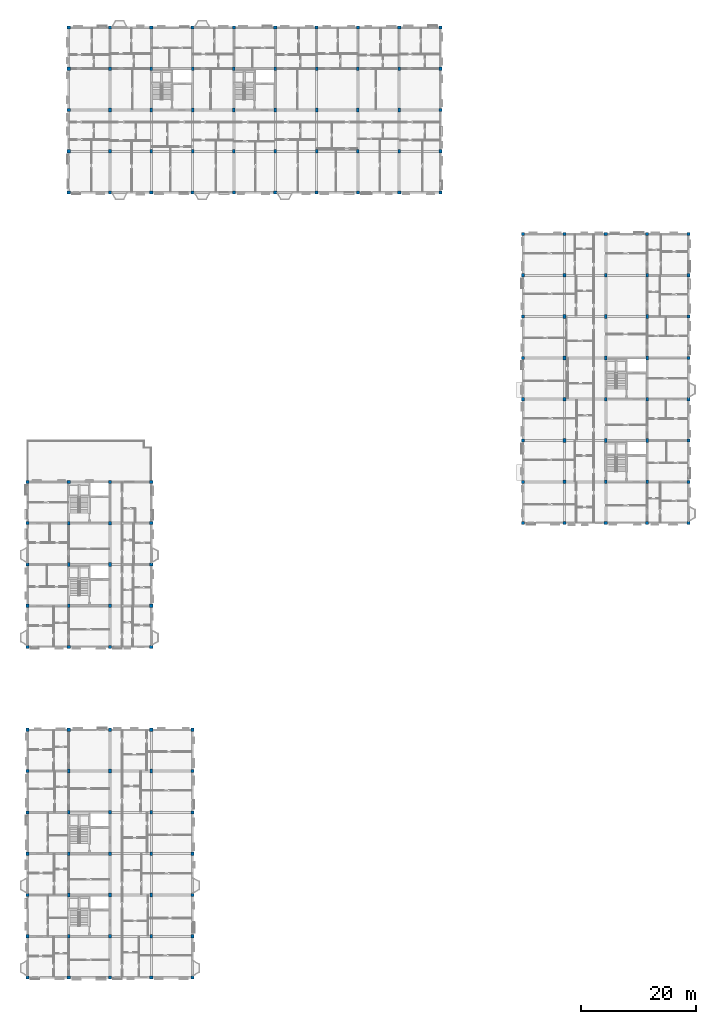
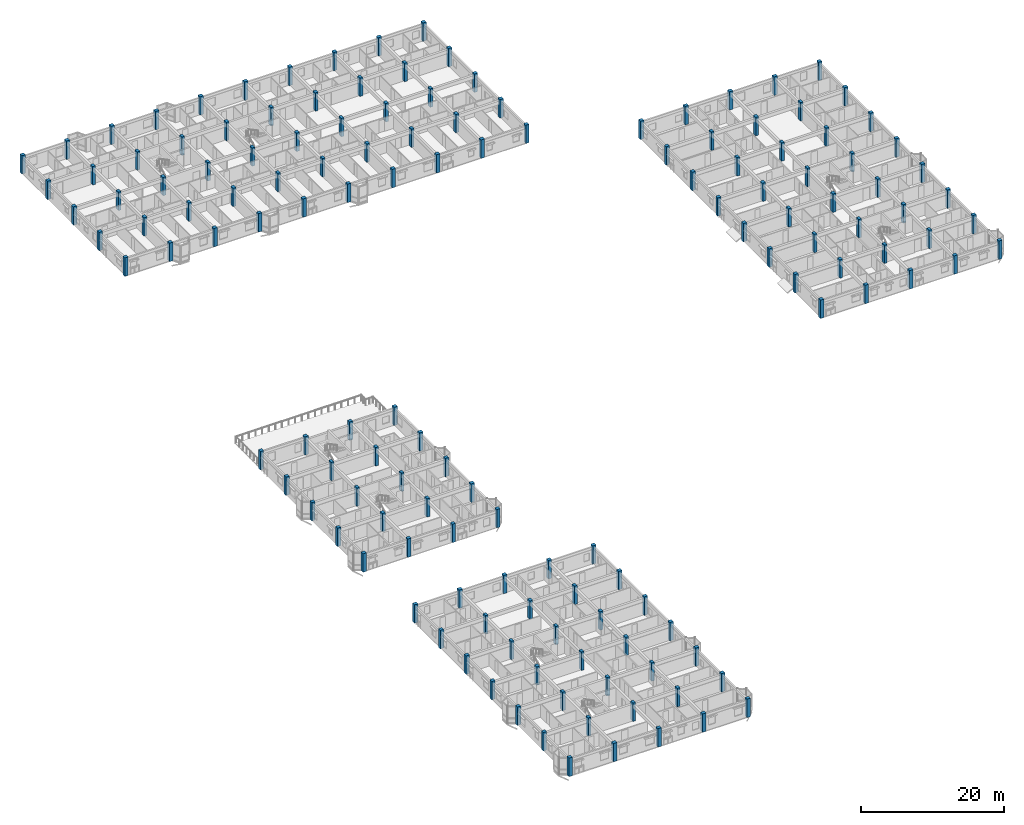
# One storey, part 1 of 75: 145 columns.
"""IFC4 building model written with IfcOpenShell, lengths in metres."""

from ifc_helpers import new_model, si_unit, direction, frame, origin, origin_2d, place, context, subcontext, project, spatial, rectangle, extrude, material, material_profile, profile_set, type_object, element, save


model = new_model("IFC4")

# Units and contexts
model_context = context("Model", 3, precision=1e-05, world=origin(), true_north=direction((0.0, 1.0)))
body_context = subcontext(model_context, "Body", "Model", "MODEL_VIEW")
ifc_project = project(units=[si_unit("LENGTHUNIT", "METRE"), si_unit("AREAUNIT", "SQUARE_METRE"), si_unit("VOLUMEUNIT", "CUBIC_METRE"), si_unit("PLANEANGLEUNIT", "RADIAN"), si_unit("MASSUNIT", "GRAM", prefix="KILO"), si_unit("THERMODYNAMICTEMPERATUREUNIT", "KELVIN"), si_unit("POWERUNIT", "WATT")], contexts=[model_context])

# Site, building, storey
site_placement = place(None, origin())
site = spatial("IfcSite", under=ifc_project, at=site_placement, CompositionType="ELEMENT")
building_placement = place(site_placement, origin())
building = spatial("IfcBuilding", under=site, at=building_placement, Name="Tavuni Mirador Residences", CompositionType="ELEMENT")
storey_placement = place(building_placement, frame((0.0, 0.0, 20.25)))
storey = spatial("IfcBuildingStorey", under=building, at=storey_placement, Name="L06", CompositionType="ELEMENT", Elevation=20.25)

# Columns
ifc_material = material(Name="Precast concrete C40/50", Category="concrete")
ifc_material_profile_1 = material_profile(ifc_material, rectangle(XDim=0.449951171875, YDim=0.64990234375, at=origin_2d()), Name="RC 450x650", Category="concrete")
ifc_profile_set_1 = profile_set([ifc_material_profile_1], Name="Precast concrete C40/50")
column_type_1 = type_object("IfcColumnType", Name="CT-RC450X650", PredefinedType="COLUMN", material=ifc_profile_set_1)
for number, where, z_axis, x_axis, name in (
    (1, (10.800048828125, 14.39990234375, 0.0), (0.0, 0.0, 1.0), (1.0, 0.0, 0.0), "COL-BLK-A-L06-01-01"),
    (2, (10.800048828125, 21.60009765625, 0.0), (0.0, 0.0, 1.0), (1.0, 0.0, 0.0), "COL-BLK-A-L06-01-02"),
    (3, (10.800048828125, 28.800048828125, 0.0), (0.0, 0.0, 1.0), (1.0, 0.0, 0.0), "COL-BLK-A-L06-01-03"),
    (4, (10.800048828125, 36.0, 0.0), (0.0, 0.0, 1.0), (1.0, 0.0, 0.0), "COL-BLK-A-L06-01-04"),
    (5, (10.800048828125, 43.199951171875, 0.0), (0.0, 0.0, 1.0), (1.0, 0.0, 0.0), "COL-BLK-A-L06-01-05"),
    (6, (18.0, 14.39990234375, 0.0), (0.0, 0.0, 1.0), (1.0, 0.0, 0.0), "COL-BLK-A-L06-02-01"),
    (7, (18.0, 21.60009765625, 0.0), (0.0, 0.0, 1.0), (1.0, 0.0, 0.0), "COL-BLK-A-L06-02-02"),
    (8, (18.0, 28.800048828125, 0.0), (0.0, 0.0, 1.0), (1.0, 0.0, 0.0), "COL-BLK-A-L06-02-03"),
    (9, (18.0, 36.0, 0.0), (0.0, 0.0, 1.0), (1.0, 0.0, 0.0), "COL-BLK-A-L06-02-04"),
    (10, (18.0, 43.199951171875, 0.0), (0.0, 0.0, 1.0), (1.0, 0.0, 0.0), "COL-BLK-A-L06-02-05"),
    (11, (25.199951171875, 14.39990234375, 0.0), (0.0, 0.0, 1.0), (1.0, 0.0, 0.0), "COL-BLK-A-L06-03-01"),
    (12, (25.199951171875, 21.60009765625, 0.0), (0.0, 0.0, 1.0), (1.0, 0.0, 0.0), "COL-BLK-A-L06-03-02"),
    (13, (25.199951171875, 28.800048828125, 0.0), (0.0, 0.0, 1.0), (1.0, 0.0, 0.0), "COL-BLK-A-L06-03-03"),
    (14, (25.199951171875, 36.0, 0.0), (0.0, 0.0, 1.0), (1.0, 0.0, 0.0), "COL-BLK-A-L06-03-04"),
    (15, (25.199951171875, 43.199951171875, 0.0), (0.0, 0.0, 1.0), (1.0, 0.0, 0.0), "COL-BLK-A-L06-03-05"),
    (16, (10.800048828125, 72.0, 0.0), (0.0, 0.0, 1.0), (1.0, 0.0, 0.0), "COL-BLK-B-L06-01-01"),
    (17, (10.800048828125, 79.199951171875, 0.0), (0.0, 0.0, 1.0), (1.0, 0.0, 0.0), "COL-BLK-B-L06-01-02"),
    (18, (10.800048828125, 86.39990234375, 0.0), (0.0, 0.0, 1.0), (1.0, 0.0, 0.0), "COL-BLK-B-L06-01-03"),
    (19, (18.0, 72.0, 0.0), (0.0, 0.0, 1.0), (1.0, 0.0, 0.0), "COL-BLK-B-L06-02-01"),
    (20, (18.0, 79.199951171875, 0.0), (0.0, 0.0, 1.0), (1.0, 0.0, 0.0), "COL-BLK-B-L06-02-02"),
    (21, (18.0, 86.39990234375, 0.0), (0.0, 0.0, 1.0), (1.0, 0.0, 0.0), "COL-BLK-B-L06-02-03"),
    (22, (18.0, 151.199951171875, 0.0), (0.0, 0.0, 1.0), (1.0, 0.0, 0.0), "COL-BLK-C-L06-01-01"),
    (23, (18.0, 158.39990234375, 0.0), (0.0, 0.0, 1.0), (1.0, 0.0, 0.0), "COL-BLK-C-L06-01-02"),
    (24, (18.0, 165.60009765625, 0.0), (0.0, 0.0, 1.0), (1.0, 0.0, 0.0), "COL-BLK-C-L06-01-03"),
    (25, (25.199951171875, 151.199951171875, 0.0), (0.0, 0.0, 1.0), (1.0, 0.0, 0.0), "COL-BLK-C-L06-02-01"),
    (26, (25.199951171875, 158.39990234375, 0.0), (0.0, 0.0, 1.0), (1.0, 0.0, 0.0), "COL-BLK-C-L06-02-02"),
    (27, (25.199951171875, 165.60009765625, 0.0), (0.0, 0.0, 1.0), (1.0, 0.0, 0.0), "COL-BLK-C-L06-02-03"),
    (28, (32.39990234375, 151.199951171875, 0.0), (0.0, 0.0, 1.0), (1.0, 0.0, 0.0), "COL-BLK-C-L06-03-01"),
    (29, (32.39990234375, 158.39990234375, 0.0), (0.0, 0.0, 1.0), (1.0, 0.0, 0.0), "COL-BLK-C-L06-03-02"),
    (30, (32.39990234375, 165.60009765625, 0.0), (0.0, 0.0, 1.0), (1.0, 0.0, 0.0), "COL-BLK-C-L06-03-03"),
    (31, (39.60009765625, 151.199951171875, 0.0), (0.0, 0.0, 1.0), (1.0, 0.0, 0.0), "COL-BLK-C-L06-04-01"),
    (32, (39.60009765625, 158.39990234375, 0.0), (0.0, 0.0, 1.0), (1.0, 0.0, 0.0), "COL-BLK-C-L06-04-02"),
    (33, (39.60009765625, 165.60009765625, 0.0), (0.0, 0.0, 1.0), (1.0, 0.0, 0.0), "COL-BLK-C-L06-04-03"),
    (34, (46.800048828125, 151.199951171875, 0.0), (0.0, 0.0, 1.0), (1.0, 0.0, 0.0), "COL-BLK-C-L06-05-01"),
    (35, (46.800048828125, 158.39990234375, 0.0), (0.0, 0.0, 1.0), (1.0, 0.0, 0.0), "COL-BLK-C-L06-05-02"),
    (36, (46.800048828125, 165.60009765625, 0.0), (0.0, 0.0, 1.0), (1.0, 0.0, 0.0), "COL-BLK-C-L06-05-03"),
    (37, (54.0, 151.199951171875, 0.0), (0.0, 0.0, 1.0), (1.0, 0.0, 0.0), "COL-BLK-C-L06-06-01"),
    (38, (54.0, 158.39990234375, 0.0), (0.0, 0.0, 1.0), (1.0, 0.0, 0.0), "COL-BLK-C-L06-06-02"),
    (39, (54.0, 165.60009765625, 0.0), (0.0, 0.0, 1.0), (1.0, 0.0, 0.0), "COL-BLK-C-L06-06-03"),
    (40, (61.199951171875, 151.199951171875, 0.0), (0.0, 0.0, 1.0), (1.0, 0.0, 0.0), "COL-BLK-C-L06-07-01"),
    (41, (61.199951171875, 158.39990234375, 0.0), (0.0, 0.0, 1.0), (1.0, 0.0, 0.0), "COL-BLK-C-L06-07-02"),
    (42, (61.199951171875, 165.60009765625, 0.0), (0.0, 0.0, 1.0), (1.0, 0.0, 0.0), "COL-BLK-C-L06-07-03"),
    (43, (68.39990234375, 151.199951171875, 0.0), (0.0, 0.0, 1.0), (1.0, 0.0, 0.0), "COL-BLK-C-L06-08-01"),
    (44, (68.39990234375, 158.39990234375, 0.0), (0.0, 0.0, 1.0), (1.0, 0.0, 0.0), "COL-BLK-C-L06-08-02"),
    (45, (68.39990234375, 165.60009765625, 0.0), (0.0, 0.0, 1.0), (1.0, 0.0, 0.0), "COL-BLK-C-L06-08-03"),
    (46, (97.199951171875, 93.60009765625, 0.0), (0.0, 0.0, 1.0), (1.0, 0.0, 0.0), "COL-BLK-D-L06-01-01"),
    (47, (97.199951171875, 100.800048828125, 0.0), (0.0, 0.0, 1.0), (1.0, 0.0, 0.0), "COL-BLK-D-L06-01-02"),
    (48, (97.199951171875, 108.0, 0.0), (0.0, 0.0, 1.0), (1.0, 0.0, 0.0), "COL-BLK-D-L06-01-03"),
    (49, (97.199951171875, 115.199951171875, 0.0), (0.0, 0.0, 1.0), (1.0, 0.0, 0.0), "COL-BLK-D-L06-01-04"),
    (50, (97.199951171875, 122.39990234375, 0.0), (0.0, 0.0, 1.0), (1.0, 0.0, 0.0), "COL-BLK-D-L06-01-05"),
    (51, (97.199951171875, 129.60009765625, 0.0), (0.0, 0.0, 1.0), (1.0, 0.0, 0.0), "COL-BLK-D-L06-01-06"),
    (52, (104.39990234375, 93.60009765625, 0.0), (0.0, 0.0, 1.0), (1.0, 0.0, 0.0), "COL-BLK-D-L06-02-01"),
    (53, (104.39990234375, 100.800048828125, 0.0), (0.0, 0.0, 1.0), (1.0, 0.0, 0.0), "COL-BLK-D-L06-02-02"),
    (54, (104.39990234375, 108.0, 0.0), (0.0, 0.0, 1.0), (1.0, 0.0, 0.0), "COL-BLK-D-L06-02-03"),
    (55, (104.39990234375, 115.199951171875, 0.0), (0.0, 0.0, 1.0), (1.0, 0.0, 0.0), "COL-BLK-D-L06-02-04"),
    (56, (104.39990234375, 122.39990234375, 0.0), (0.0, 0.0, 1.0), (1.0, 0.0, 0.0), "COL-BLK-D-L06-02-05"),
    (57, (104.39990234375, 129.60009765625, 0.0), (0.0, 0.0, 1.0), (1.0, 0.0, 0.0), "COL-BLK-D-L06-02-06"),
    (58, (111.60009765625, 93.60009765625, 0.0), (0.0, 0.0, 1.0), (1.0, 0.0, 0.0), "COL-BLK-D-L06-03-01"),
    (59, (111.60009765625, 100.800048828125, 0.0), (0.0, 0.0, 1.0), (1.0, 0.0, 0.0), "COL-BLK-D-L06-03-02"),
    (60, (111.60009765625, 108.0, 0.0), (0.0, 0.0, 1.0), (1.0, 0.0, 0.0), "COL-BLK-D-L06-03-03"),
    (61, (111.60009765625, 115.199951171875, 0.0), (0.0, 0.0, 1.0), (1.0, 0.0, 0.0), "COL-BLK-D-L06-03-04"),
    (62, (111.60009765625, 122.39990234375, 0.0), (0.0, 0.0, 1.0), (1.0, 0.0, 0.0), "COL-BLK-D-L06-03-05"),
    (63, (111.60009765625, 129.60009765625, 0.0), (0.0, 0.0, 1.0), (1.0, 0.0, 0.0), "COL-BLK-D-L06-03-06"),
):
    element("IfcColumn", number, at=place(storey_placement, frame(where, z_axis=z_axis, x_axis=x_axis)), inside=storey, type_object=column_type_1, Name=name, PredefinedType="COLUMN", context=body_context, shape_type="SweptSolid", body=[
        extrude(rectangle(XDim=0.449951171875, YDim=0.64990234375, at=origin_2d()), origin(), (0.0, 0.0, 1.0), 3.14990234375),
    ])
ifc_material_profile_2 = material_profile(ifc_material, rectangle(XDim=0.550048828125, YDim=0.550048828125, at=origin_2d()), Name="RC 550x550", Category="concrete")
ifc_profile_set_2 = profile_set([ifc_material_profile_2], Name="Precast concrete C40/50")
column_type_2 = type_object("IfcColumnType", Name="CT-RC550", PredefinedType="COLUMN", material=ifc_profile_set_2)
for number, where, z_axis, x_axis, name in (
    (64, (3.60009765625, 7.199951171875, 0.0), (0.0, 0.0, 1.0), (1.0, 0.0, 0.0), "COL-BLK-A-L06-00-00"),
    (65, (3.60009765625, 14.39990234375, 0.0), (0.0, 0.0, 1.0), (1.0, 0.0, 0.0), "COL-BLK-A-L06-00-01"),
    (66, (3.60009765625, 21.60009765625, 0.0), (0.0, 0.0, 1.0), (1.0, 0.0, 0.0), "COL-BLK-A-L06-00-02"),
    (67, (3.60009765625, 28.800048828125, 0.0), (0.0, 0.0, 1.0), (1.0, 0.0, 0.0), "COL-BLK-A-L06-00-03"),
    (68, (3.60009765625, 36.0, 0.0), (0.0, 0.0, 1.0), (1.0, 0.0, 0.0), "COL-BLK-A-L06-00-04"),
    (69, (3.60009765625, 43.199951171875, 0.0), (0.0, 0.0, 1.0), (1.0, 0.0, 0.0), "COL-BLK-A-L06-00-05"),
    (70, (3.60009765625, 50.39990234375, 0.0), (0.0, 0.0, 1.0), (1.0, 0.0, 0.0), "COL-BLK-A-L06-00-06"),
    (71, (10.800048828125, 7.199951171875, 0.0), (0.0, 0.0, 1.0), (1.0, 0.0, 0.0), "COL-BLK-A-L06-01-00"),
    (72, (10.800048828125, 50.39990234375, 0.0), (0.0, 0.0, 1.0), (1.0, 0.0, 0.0), "COL-BLK-A-L06-01-06"),
    (73, (18.0, 7.199951171875, 0.0), (0.0, 0.0, 1.0), (1.0, 0.0, 0.0), "COL-BLK-A-L06-02-00"),
    (74, (18.0, 50.39990234375, 0.0), (0.0, 0.0, 1.0), (1.0, 0.0, 0.0), "COL-BLK-A-L06-02-06"),
    (75, (25.199951171875, 7.199951171875, 0.0), (0.0, 0.0, 1.0), (1.0, 0.0, 0.0), "COL-BLK-A-L06-03-00"),
    (76, (25.199951171875, 50.39990234375, 0.0), (0.0, 0.0, 1.0), (1.0, 0.0, 0.0), "COL-BLK-A-L06-03-06"),
    (77, (32.39990234375, 7.199951171875, 0.0), (0.0, 0.0, 1.0), (1.0, 0.0, 0.0), "COL-BLK-A-L06-04-00"),
    (78, (32.39990234375, 14.39990234375, 0.0), (0.0, 0.0, 1.0), (1.0, 0.0, 0.0), "COL-BLK-A-L06-04-01"),
    (79, (32.39990234375, 21.60009765625, 0.0), (0.0, 0.0, 1.0), (1.0, 0.0, 0.0), "COL-BLK-A-L06-04-02"),
    (80, (32.39990234375, 28.800048828125, 0.0), (0.0, 0.0, 1.0), (1.0, 0.0, 0.0), "COL-BLK-A-L06-04-03"),
    (81, (32.39990234375, 36.0, 0.0), (0.0, 0.0, 1.0), (1.0, 0.0, 0.0), "COL-BLK-A-L06-04-04"),
    (82, (32.39990234375, 43.199951171875, 0.0), (0.0, 0.0, 1.0), (1.0, 0.0, 0.0), "COL-BLK-A-L06-04-05"),
    (83, (32.39990234375, 50.39990234375, 0.0), (0.0, 0.0, 1.0), (1.0, 0.0, 0.0), "COL-BLK-A-L06-04-06"),
    (84, (3.60009765625, 64.800048828125, 0.0), (0.0, 0.0, 1.0), (1.0, 0.0, 0.0), "COL-BLK-B-L06-00-00"),
    (85, (3.60009765625, 72.0, 0.0), (0.0, 0.0, 1.0), (1.0, 0.0, 0.0), "COL-BLK-B-L06-00-01"),
    (86, (3.60009765625, 79.199951171875, 0.0), (0.0, 0.0, 1.0), (1.0, 0.0, 0.0), "COL-BLK-B-L06-00-02"),
    (87, (3.60009765625, 86.39990234375, 0.0), (0.0, 0.0, 1.0), (1.0, 0.0, 0.0), "COL-BLK-B-L06-00-03"),
    (88, (3.60009765625, 93.60009765625, 0.0), (0.0, 0.0, 1.0), (1.0, 0.0, 0.0), "COL-BLK-B-L06-00-04"),
    (89, (10.800048828125, 64.800048828125, 0.0), (0.0, 0.0, 1.0), (1.0, 0.0, 0.0), "COL-BLK-B-L06-01-00"),
    (90, (10.800048828125, 93.60009765625, 0.0), (0.0, 0.0, 1.0), (1.0, 0.0, 0.0), "COL-BLK-B-L06-01-04"),
    (91, (18.0, 64.800048828125, 0.0), (0.0, 0.0, 1.0), (1.0, 0.0, 0.0), "COL-BLK-B-L06-02-00"),
    (92, (18.0, 93.60009765625, 0.0), (0.0, 0.0, 1.0), (1.0, 0.0, 0.0), "COL-BLK-B-L06-02-04"),
    (93, (25.199951171875, 64.800048828125, 0.0), (0.0, 0.0, 1.0), (1.0, 0.0, 0.0), "COL-BLK-B-L06-03-00"),
    (94, (25.199951171875, 72.0, 0.0), (0.0, 0.0, 1.0), (1.0, 0.0, 0.0), "COL-BLK-B-L06-03-01"),
    (95, (25.199951171875, 79.199951171875, 0.0), (0.0, 0.0, 1.0), (1.0, 0.0, 0.0), "COL-BLK-B-L06-03-02"),
    (96, (25.199951171875, 86.39990234375, 0.0), (0.0, 0.0, 1.0), (1.0, 0.0, 0.0), "COL-BLK-B-L06-03-03"),
    (97, (25.199951171875, 93.60009765625, 0.0), (0.0, 0.0, 1.0), (1.0, 0.0, 0.0), "COL-BLK-B-L06-03-04"),
    (98, (10.800048828125, 144.0, 0.0), (0.0, 0.0, 1.0), (1.0, 0.0, 0.0), "COL-BLK-C-L06-00-00"),
    (99, (10.800048828125, 151.199951171875, 0.0), (0.0, 0.0, 1.0), (1.0, 0.0, 0.0), "COL-BLK-C-L06-00-01"),
    (100, (10.800048828125, 158.39990234375, 0.0), (0.0, 0.0, 1.0), (1.0, 0.0, 0.0), "COL-BLK-C-L06-00-02"),
    (101, (10.800048828125, 165.60009765625, 0.0), (0.0, 0.0, 1.0), (1.0, 0.0, 0.0), "COL-BLK-C-L06-00-03"),
    (102, (10.800048828125, 172.800048828125, 0.0), (0.0, 0.0, 1.0), (1.0, 0.0, 0.0), "COL-BLK-C-L06-00-04"),
    (103, (18.0, 144.0, 0.0), (0.0, 0.0, 1.0), (1.0, 0.0, 0.0), "COL-BLK-C-L06-01-00"),
    (104, (18.0, 172.800048828125, 0.0), (0.0, 0.0, 1.0), (1.0, 0.0, 0.0), "COL-BLK-C-L06-01-04"),
    (105, (25.199951171875, 144.0, 0.0), (0.0, 0.0, 1.0), (1.0, 0.0, 0.0), "COL-BLK-C-L06-02-00"),
    (106, (25.199951171875, 172.800048828125, 0.0), (0.0, 0.0, 1.0), (1.0, 0.0, 0.0), "COL-BLK-C-L06-02-04"),
    (107, (32.39990234375, 144.0, 0.0), (0.0, 0.0, 1.0), (1.0, 0.0, 0.0), "COL-BLK-C-L06-03-00"),
    (108, (32.39990234375, 172.800048828125, 0.0), (0.0, 0.0, 1.0), (1.0, 0.0, 0.0), "COL-BLK-C-L06-03-04"),
    (109, (39.60009765625, 144.0, 0.0), (0.0, 0.0, 1.0), (1.0, 0.0, 0.0), "COL-BLK-C-L06-04-00"),
    (110, (39.60009765625, 172.800048828125, 0.0), (0.0, 0.0, 1.0), (1.0, 0.0, 0.0), "COL-BLK-C-L06-04-04"),
    (111, (46.800048828125, 144.0, 0.0), (0.0, 0.0, 1.0), (1.0, 0.0, 0.0), "COL-BLK-C-L06-05-00"),
    (112, (46.800048828125, 172.800048828125, 0.0), (0.0, 0.0, 1.0), (1.0, 0.0, 0.0), "COL-BLK-C-L06-05-04"),
    (113, (54.0, 144.0, 0.0), (0.0, 0.0, 1.0), (1.0, 0.0, 0.0), "COL-BLK-C-L06-06-00"),
    (114, (54.0, 172.800048828125, 0.0), (0.0, 0.0, 1.0), (1.0, 0.0, 0.0), "COL-BLK-C-L06-06-04"),
    (115, (61.199951171875, 144.0, 0.0), (0.0, 0.0, 1.0), (1.0, 0.0, 0.0), "COL-BLK-C-L06-07-00"),
    (116, (61.199951171875, 172.800048828125, 0.0), (0.0, 0.0, 1.0), (1.0, 0.0, 0.0), "COL-BLK-C-L06-07-04"),
    (117, (68.39990234375, 144.0, 0.0), (0.0, 0.0, 1.0), (1.0, 0.0, 0.0), "COL-BLK-C-L06-08-00"),
    (118, (68.39990234375, 172.800048828125, 0.0), (0.0, 0.0, 1.0), (1.0, 0.0, 0.0), "COL-BLK-C-L06-08-04"),
    (119, (75.60009765625, 144.0, 0.0), (0.0, 0.0, 1.0), (1.0, 0.0, 0.0), "COL-BLK-C-L06-09-00"),
    (120, (75.60009765625, 151.199951171875, 0.0), (0.0, 0.0, 1.0), (1.0, 0.0, 0.0), "COL-BLK-C-L06-09-01"),
    (121, (75.60009765625, 158.39990234375, 0.0), (0.0, 0.0, 1.0), (1.0, 0.0, 0.0), "COL-BLK-C-L06-09-02"),
    (122, (75.60009765625, 165.60009765625, 0.0), (0.0, 0.0, 1.0), (1.0, 0.0, 0.0), "COL-BLK-C-L06-09-03"),
    (123, (75.60009765625, 172.800048828125, 0.0), (0.0, 0.0, 1.0), (1.0, 0.0, 0.0), "COL-BLK-C-L06-09-04"),
    (124, (90.0, 86.39990234375, 0.0), (0.0, 0.0, 1.0), (1.0, 0.0, 0.0), "COL-BLK-D-L06-00-00"),
    (125, (90.0, 93.60009765625, 0.0), (0.0, 0.0, 1.0), (1.0, 0.0, 0.0), "COL-BLK-D-L06-00-01"),
    (126, (90.0, 100.800048828125, 0.0), (0.0, 0.0, 1.0), (1.0, 0.0, 0.0), "COL-BLK-D-L06-00-02"),
    (127, (90.0, 108.0, 0.0), (0.0, 0.0, 1.0), (1.0, 0.0, 0.0), "COL-BLK-D-L06-00-03"),
    (128, (90.0, 115.199951171875, 0.0), (0.0, 0.0, 1.0), (1.0, 0.0, 0.0), "COL-BLK-D-L06-00-04"),
    (129, (90.0, 122.39990234375, 0.0), (0.0, 0.0, 1.0), (1.0, 0.0, 0.0), "COL-BLK-D-L06-00-05"),
    (130, (90.0, 129.60009765625, 0.0), (0.0, 0.0, 1.0), (1.0, 0.0, 0.0), "COL-BLK-D-L06-00-06"),
    (131, (90.0, 136.800048828125, 0.0), (0.0, 0.0, 1.0), (1.0, 0.0, 0.0), "COL-BLK-D-L06-00-07"),
    (132, (97.199951171875, 86.39990234375, 0.0), (0.0, 0.0, 1.0), (1.0, 0.0, 0.0), "COL-BLK-D-L06-01-00"),
    (133, (97.199951171875, 136.800048828125, 0.0), (0.0, 0.0, 1.0), (1.0, 0.0, 0.0), "COL-BLK-D-L06-01-07"),
    (134, (104.39990234375, 86.39990234375, 0.0), (0.0, 0.0, 1.0), (1.0, 0.0, 0.0), "COL-BLK-D-L06-02-00"),
    (135, (104.39990234375, 136.800048828125, 0.0), (0.0, 0.0, 1.0), (1.0, 0.0, 0.0), "COL-BLK-D-L06-02-07"),
    (136, (111.60009765625, 86.39990234375, 0.0), (0.0, 0.0, 1.0), (1.0, 0.0, 0.0), "COL-BLK-D-L06-03-00"),
    (137, (111.60009765625, 136.800048828125, 0.0), (0.0, 0.0, 1.0), (1.0, 0.0, 0.0), "COL-BLK-D-L06-03-07"),
    (138, (118.800048828125, 86.39990234375, 0.0), (0.0, 0.0, 1.0), (1.0, 0.0, 0.0), "COL-BLK-D-L06-04-00"),
    (139, (118.800048828125, 93.60009765625, 0.0), (0.0, 0.0, 1.0), (1.0, 0.0, 0.0), "COL-BLK-D-L06-04-01"),
    (140, (118.800048828125, 100.800048828125, 0.0), (0.0, 0.0, 1.0), (1.0, 0.0, 0.0), "COL-BLK-D-L06-04-02"),
    (141, (118.800048828125, 108.0, 0.0), (0.0, 0.0, 1.0), (1.0, 0.0, 0.0), "COL-BLK-D-L06-04-03"),
    (142, (118.800048828125, 115.199951171875, 0.0), (0.0, 0.0, 1.0), (1.0, 0.0, 0.0), "COL-BLK-D-L06-04-04"),
    (143, (118.800048828125, 122.39990234375, 0.0), (0.0, 0.0, 1.0), (1.0, 0.0, 0.0), "COL-BLK-D-L06-04-05"),
    (144, (118.800048828125, 129.60009765625, 0.0), (0.0, 0.0, 1.0), (1.0, 0.0, 0.0), "COL-BLK-D-L06-04-06"),
    (145, (118.800048828125, 136.800048828125, 0.0), (0.0, 0.0, 1.0), (1.0, 0.0, 0.0), "COL-BLK-D-L06-04-07"),
):
    element("IfcColumn", number, at=place(storey_placement, frame(where, z_axis=z_axis, x_axis=x_axis)), inside=storey, type_object=column_type_2, Name=name, PredefinedType="COLUMN", context=body_context, shape_type="SweptSolid", body=[
        extrude(rectangle(XDim=0.550048828125, YDim=0.550048828125, at=origin_2d()), origin(), (0.0, 0.0, 1.0), 3.14990234375),
    ])

save(model, "model.ifc")
